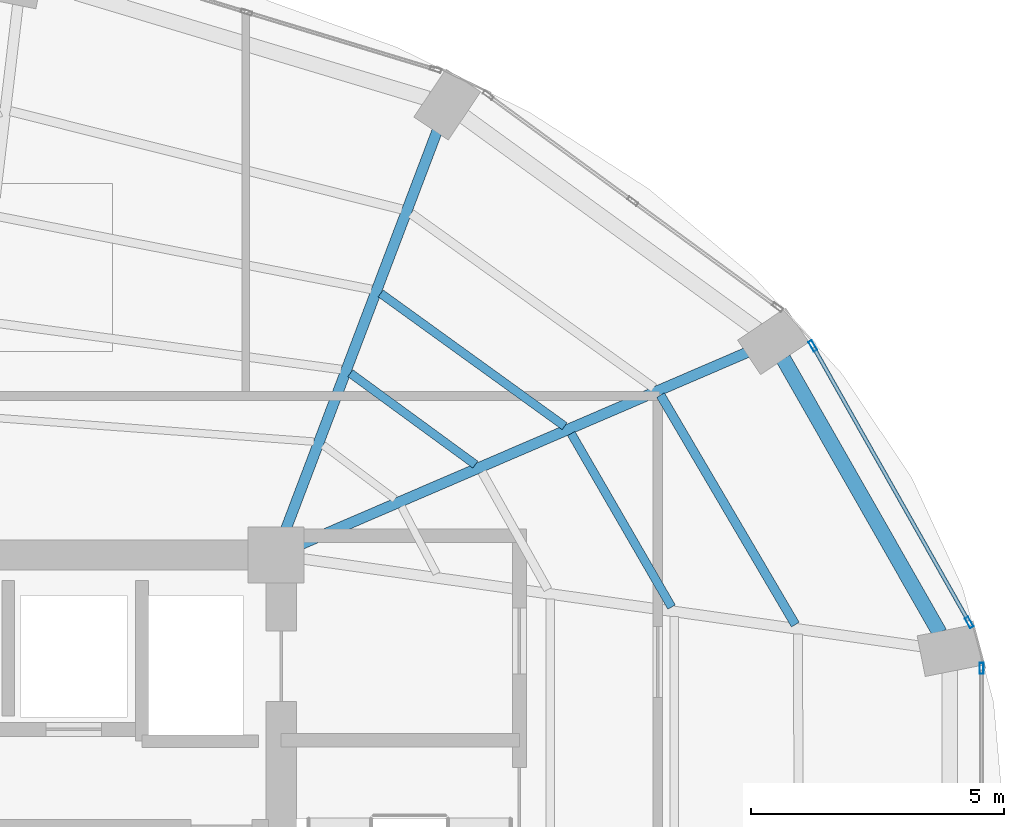
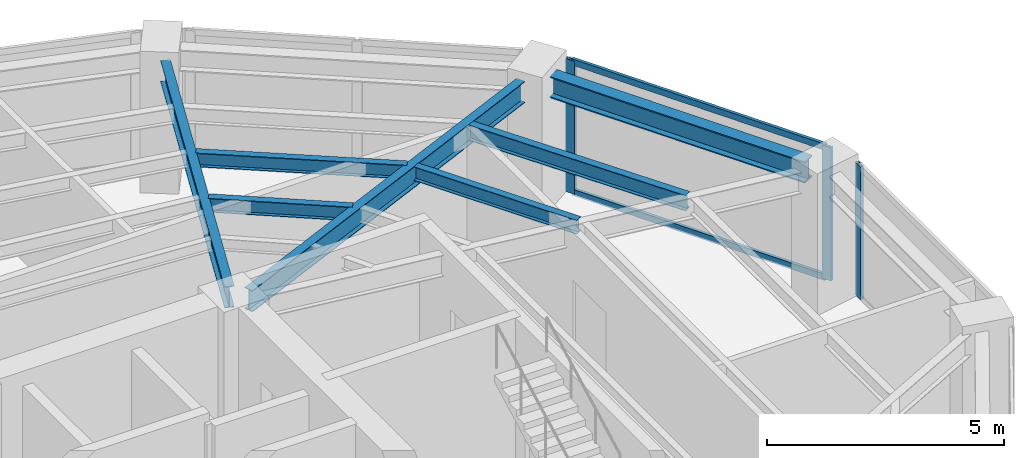
# One storey, part 11 of 20: 7 beams, 5 members, 2 elements without a shape of their own.
"""IFC4 building model written with IfcOpenShell, lengths in metres."""

import ifcopenshell
import ifcopenshell.guid

model = None  # the IFC model being written
_history = None  # IfcOwnerHistory: only IFC2X3 demands one
_inside = {}  # id of a spatial element -> (the spatial element, [elements in it])
_under = {}  # id of a project, library or spatial element -> (it, [spatial elements below it])
_declared = {}  # id of a project -> (the project, [libraries it declares])
_typed = {}  # id of a type object -> (the type object, [elements of that type])
_made_of = {}  # id of a material, layer set ... -> (it, [elements and type objects made of it])


def new_model(schema):
    """Start an empty IFC model of exactly this schema.

    Asked for "IFC4X3", IfcOpenShell would pick the latest addendum, in which some entities
    have other attributes; the version numbers below select the first issue.
    IFC2X3 requires an IfcOwnerHistory on every rooted entity: one is made here for all.
    """
    global model, _history
    if schema == "IFC4X3":
        model = ifcopenshell.file(schema_version=(4, 3, 0, 0))
    else:
        model = ifcopenshell.file(schema=schema)
    _inside.clear()
    _under.clear()
    _declared.clear()
    _typed.clear()
    _made_of.clear()
    _history = None
    if model.schema == "IFC2X3":
        org = make("IfcOrganization", Name="unknown")
        user = make(
            "IfcPersonAndOrganization",
            ThePerson=make("IfcPerson", FamilyName="unknown"),
            TheOrganization=org,
        )
        app = make(
            "IfcApplication",
            ApplicationDeveloper=org,
            Version="unknown",
            ApplicationFullName="unknown",
            ApplicationIdentifier="unknown",
        )
        _history = make(
            "IfcOwnerHistory",
            OwningUser=user,
            OwningApplication=app,
            ChangeAction="ADDED",
            CreationDate=0,
        )
    return model


def make(cls, **values):
    """One entity of the class cls with the attributes given. An attribute that is None is left unset."""
    return model.create_entity(
        cls, **{name: value for name, value in values.items() if value is not None}
    )


def rooted(cls, **values):
    """An entity with a GlobalId (a new one), such as an element, a storey or a relation."""
    return make(cls, GlobalId=ifcopenshell.guid.new(), OwnerHistory=_history, **values)


def si_unit(unit_type, name, prefix=None):
    """IfcSIUnit, for example si_unit("LENGTHUNIT", "METRE", prefix="MILLI")."""
    return make("IfcSIUnit", UnitType=unit_type, Prefix=prefix, Name=name)


def assignment(units):
    """IfcUnitAssignment: the units of a project."""
    return None if units is None else make("IfcUnitAssignment", Units=units)


def point(xyz):
    """IfcCartesianPoint."""
    return None if xyz is None else make("IfcCartesianPoint", Coordinates=xyz)


def direction(xyz):
    """IfcDirection."""
    return None if xyz is None else make("IfcDirection", DirectionRatios=xyz)


def frame(location, z_axis=None, x_axis=None):
    """IfcAxis2Placement3D, a coordinate frame: its origin and axes. An axis left out is left unset."""
    return make(
        "IfcAxis2Placement3D",
        Location=point(location),
        Axis=direction(z_axis),
        RefDirection=direction(x_axis),
    )


def frame_2d(location, x_axis=None):
    """IfcAxis2Placement2D, a coordinate frame in the plane: its origin and x axis."""
    return make(
        "IfcAxis2Placement2D", Location=point(location), RefDirection=direction(x_axis)
    )


def origin():
    """The frame at (0, 0, 0) with its axes left unset."""
    return frame((0.0, 0.0, 0.0))


def origin_2d():
    """The frame at (0, 0) in the plane with its x axis left unset."""
    return frame_2d((0.0, 0.0))


def place(relative_to, where):
    """IfcLocalPlacement: puts the frame where relative to a parent placement (None: the world)."""
    return make(
        "IfcLocalPlacement", PlacementRelTo=relative_to, RelativePlacement=where
    )


def context(
    kind, dimensions, precision=None, world=None, true_north=None, identifier=None
):
    """IfcGeometricRepresentationContext, for example the 3D "Model" context."""
    return make(
        "IfcGeometricRepresentationContext",
        ContextIdentifier=identifier,
        ContextType=kind,
        CoordinateSpaceDimension=dimensions,
        Precision=precision,
        WorldCoordinateSystem=world,
        TrueNorth=true_north,
    )


def subcontext(parent, identifier, kind, view, scale=None):
    """IfcGeometricRepresentationSubContext, for example "Body" below "Model"."""
    return make(
        "IfcGeometricRepresentationSubContext",
        ContextIdentifier=identifier,
        ContextType=kind,
        ParentContext=parent,
        TargetScale=scale,
        TargetView=view,
    )


def project(units=None, contexts=None):
    """IfcProject with its units and contexts."""
    return rooted(
        "IfcProject",
        Name="project",
        RepresentationContexts=contexts,
        UnitsInContext=assignment(units),
    )


def spatial(cls, under=None, at=None, **own):
    """A site, building, storey or space (cls), placed at a placement, below another one or the project."""
    s = rooted(cls, ObjectPlacement=at, **own)
    if under is not None:
        _under.setdefault(under.id(), (under, []))[1].append(s)
    return s


def profile(cls, at=None, kind="AREA", **sizes):
    """A parametric profile (cls). Its sizes go by their IFC names, for example OverallWidth=200.0."""
    return make(cls, ProfileType=kind, Position=at, **sizes)


def hollow_rectangle(**sizes):
    """IfcRectangleHollowProfileDef."""
    return profile("IfcRectangleHollowProfileDef", **sizes)


def i_section(**sizes):
    """IfcIShapeProfileDef."""
    return profile("IfcIShapeProfileDef", **sizes)


def extrude(swept, where, along, depth):
    """IfcExtrudedAreaSolid: the profile swept, set in the frame where, extruded along a direction by depth."""
    return make(
        "IfcExtrudedAreaSolid",
        SweptArea=swept,
        Position=where,
        ExtrudedDirection=direction(along),
        Depth=depth,
    )


def shape(context_of_items, identifier, shape_type, items):
    """IfcShapeRepresentation: the items that make up one representation, for example the "Body"."""
    return make(
        "IfcShapeRepresentation",
        ContextOfItems=context_of_items,
        RepresentationIdentifier=identifier,
        RepresentationType=shape_type,
        Items=items,
    )


def material(Name=None, Category=None):
    """IfcMaterial."""
    return make("IfcMaterial", Name=Name, Category=Category)


def layer(
    of_material, thickness, ventilated=None, Name=None, Category=None, Priority=None
):
    """IfcMaterialLayer: one layer of a wall or slab, of a material (None: an air gap)."""
    return make(
        "IfcMaterialLayer",
        Material=of_material,
        LayerThickness=thickness,
        IsVentilated=ventilated,
        Name=Name,
        Category=Category,
        Priority=Priority,
    )


def layer_set(layers, Name=None):
    """IfcMaterialLayerSet."""
    return make("IfcMaterialLayerSet", MaterialLayers=layers, LayerSetName=Name)


def material_profile(
    of_material, cross_section, Name=None, Category=None, Priority=None
):
    """IfcMaterialProfile: a cross section and its material."""
    return make(
        "IfcMaterialProfile",
        Name=Name,
        Material=of_material,
        Profile=cross_section,
        Priority=Priority,
        Category=Category,
    )


def profile_set(profiles, Name=None, composite=None):
    """IfcMaterialProfileSet."""
    return make(
        "IfcMaterialProfileSet",
        Name=Name,
        MaterialProfiles=profiles,
        CompositeProfile=composite,
    )


def made_of(thing, what):
    """Note that an element or type object is made of a material, layer set ...; save() writes the relation."""
    if what is not None:
        _made_of.setdefault(what.id(), (what, []))[1].append(thing)
    return thing


def type_object(cls, material=None, **own):
    """A type object (cls), such as IfcWallType, which elements share."""
    return made_of(rooted(cls, **own), material)


def element(
    cls,
    number,
    at=None,
    inside=None,
    cuts=None,
    type_object=None,
    material=None,
    context=None,
    identifier="Body",
    shape_type=None,
    held_by="IfcProductDefinitionShape",
    body=None,
    shapes=None,
    **own,
):
    """One element of the class cls, such as IfcWall. Its Tag is "e" and its number.

    at: its placement. inside: the storey or other place that contains it. cuts: it is an
    opening in that element (IfcRelVoidsElement). A single representation is given by context,
    identifier, shape_type and body (its items); several are given by shapes. held_by: the class
    of the entity that holds the representations. save() writes the other relations.
    """
    e = rooted(cls, Tag="e%d" % number, ObjectPlacement=at, **own)
    if body is not None:
        shapes = [shape(context, identifier, shape_type, body)]
    if shapes is not None:
        e.Representation = make(held_by, Representations=shapes)
    if inside is not None:
        _inside.setdefault(inside.id(), (inside, []))[1].append(e)
    if cuts is not None:
        rooted(
            "IfcRelVoidsElement", RelatingBuildingElement=cuts, RelatedOpeningElement=e
        )
    if type_object is not None:
        _typed.setdefault(type_object.id(), (type_object, []))[1].append(e)
    return made_of(e, material)


def aggregate(whole, parts):
    """IfcRelAggregates: a whole, such as a stair, and the parts it consists of."""
    return rooted("IfcRelAggregates", RelatingObject=whole, RelatedObjects=parts)


def save(model, path):
    """Write the relations noted so far, then the file.

    IfcRelAggregates (storeys below a building ...), IfcRelContainedInSpatialStructure (elements
    in a storey), IfcRelDefinesByType, IfcRelAssociatesMaterial and IfcRelDeclares: one each for
    every whole, place, type object, material and project.
    """
    for whole, parts in _under.values():
        aggregate(whole, parts)
    for where, things in _inside.values():
        rooted(
            "IfcRelContainedInSpatialStructure",
            RelatedElements=things,
            RelatingStructure=where,
        )
    for kind, things in _typed.values():
        rooted("IfcRelDefinesByType", RelatedObjects=things, RelatingType=kind)
    for what, things in _made_of.values():
        rooted("IfcRelAssociatesMaterial", RelatedObjects=things, RelatingMaterial=what)
    for by, libraries in _declared.values():
        rooted("IfcRelDeclares", RelatingContext=by, RelatedDefinitions=libraries)
    model.write(path)


model = new_model("IFC4")

# Units and contexts
model_context = context("Model", 3, precision=1e-05, world=origin(), true_north=direction((0.0, 1.0)))
body_context = subcontext(model_context, "Body", "Model", "MODEL_VIEW")
ifc_project = project(units=[si_unit("LENGTHUNIT", "METRE"), si_unit("AREAUNIT", "SQUARE_METRE"), si_unit("VOLUMEUNIT", "CUBIC_METRE"), si_unit("PLANEANGLEUNIT", "RADIAN"), si_unit("MASSUNIT", "GRAM", prefix="KILO")], contexts=[model_context])

# Site, building, storey
site_placement = place(None, origin())
site = spatial("IfcSite", under=ifc_project, at=site_placement, CompositionType="ELEMENT")
building_placement = place(site_placement, origin())
building = spatial("IfcBuilding", under=site, at=building_placement, Name="Lazwardi Medical Tower", CompositionType="ELEMENT")
storey_placement = place(building_placement, frame((0.0, 0.0, 149.23193359375)))
storey = spatial("IfcBuildingStorey", under=building, at=storey_placement, Name="L38", CompositionType="ELEMENT", Elevation=149.23193359375)

# Beams
ifc_material_1 = material(Name="Steel S355", Category="steel")
ifc_material_profile_1 = material_profile(ifc_material_1, i_section(OverallWidth=0.300048828125, OverallDepth=0.550048828125, WebThickness=0.014892578125, FlangeThickness=0.029052734375, at=origin_2d()), Name="HEB 550")
ifc_profile_set_1 = profile_set([ifc_material_profile_1], Name="Steel S355")
beam_type_1 = type_object("IfcBeamType", Name="BM-RB-Z3", PredefinedType="BEAM", material=ifc_profile_set_1)
beam_1_placement = place(storey_placement, frame((58.727783203125, 34.05908203125, 3.153076171875), z_axis=(-0.495460926326, 0.868630226554, 0.0), x_axis=(-0.868630226554, -0.495460926326, 0.0)))
element("IfcBeam", 1, at=beam_1_placement, inside=storey, type_object=beam_type_1, Name="Ring beam RB-04 B05 L38", PredefinedType="BEAM", context=body_context, shape_type="SweptSolid", body=[
    extrude(i_section(OverallWidth=0.300048828125, OverallDepth=0.550048828125, WebThickness=0.014892578125, FlangeThickness=0.029052734375, at=origin_2d()), origin(), (0.0, 0.0, 1.0), 6.24462890625),
])
ifc_material_profile_2 = material_profile(ifc_material_1, i_section(OverallWidth=0.2099609375, OverallDepth=0.550048828125, WebThickness=0.010986328125, FlangeThickness=0.01708984375, at=origin_2d()), Name="IPE 550")
ifc_profile_set_2 = profile_set([ifc_material_profile_2], Name="Steel S355")
beam_type_2 = type_object("IfcBeamType", Name="BM-RG-W2", PredefinedType="BEAM", material=ifc_profile_set_2)
beam_2_placement = place(storey_placement, frame((54.921142578125, 39.609619140625, 3.153076171875), z_axis=(-0.918608156288, -0.395169653695, 0.0), x_axis=(0.395169653695, -0.918608156288, 0.0)))
element("IfcBeam", 2, at=beam_2_placement, inside=storey, type_object=beam_type_2, Name="Radial girder RG-03 R06 L38", PredefinedType="BEAM", context=body_context, shape_type="SweptSolid", body=[
    extrude(i_section(OverallWidth=0.2099609375, OverallDepth=0.550048828125, WebThickness=0.010986328125, FlangeThickness=0.01708984375, at=origin_2d()), origin(), (0.0, 0.0, 1.0), 9.61181640625),
])
beam_3_placement = place(storey_placement, frame((48.78759765625, 43.99072265625, 3.153076171875), z_axis=(-0.355126771712, -0.934818151307, 0.0), x_axis=(0.934818151307, -0.355126771712, 0.0)))
element("IfcBeam", 3, at=beam_3_placement, inside=storey, type_object=beam_type_2, Name="Radial girder RG-03 R07 L38", PredefinedType="BEAM", context=body_context, shape_type="SweptSolid", body=[
    extrude(i_section(OverallWidth=0.2099609375, OverallDepth=0.550048828125, WebThickness=0.010986328125, FlangeThickness=0.01708984375, at=origin_2d()), origin(), (0.0, 0.0, 1.0), 8.44091796875),
])
ifc_material_profile_3 = material_profile(ifc_material_1, i_section(OverallWidth=0.179931640625, OverallDepth=0.39990234375, WebThickness=0.008544921875, FlangeThickness=0.013427734375, at=origin_2d()), Name="IPE 400")
ifc_profile_set_3 = profile_set([ifc_material_profile_3], Name="Steel S355")
beam_type_3 = type_object("IfcBeamType", Name="BM-SJ-01", PredefinedType="JOIST", material=ifc_profile_set_3)
beam_4_placement = place(storey_placement, frame((55.872314453125, 34.223388671875, 3.22802734375), z_axis=(-0.506420212881, 0.862286824662, 0.0), x_axis=(-0.862286824662, -0.506420212881, 0.0)))
element("IfcBeam", 4, at=beam_4_placement, inside=storey, type_object=beam_type_3, Name="Secondary joist SJ-01 R1 B05 L38", PredefinedType="JOIST", context=body_context, shape_type="SweptSolid", body=[
    extrude(i_section(OverallWidth=0.179931640625, OverallDepth=0.39990234375, WebThickness=0.008544921875, FlangeThickness=0.013427734375, at=origin_2d()), origin(), (0.0, 0.0, 1.0), 5.265380859375),
])
ifc_material_profile_4 = material_profile(ifc_material_1, i_section(OverallWidth=0.169921875, OverallDepth=0.360107421875, WebThickness=0.008056640625, FlangeThickness=0.0126953125, at=origin_2d()), Name="IPE 360")
ifc_profile_set_4 = profile_set([ifc_material_profile_4], Name="Steel S355")
beam_type_4 = type_object("IfcBeamType", Name="BM-SJ-02", PredefinedType="JOIST", material=ifc_profile_set_4)
beam_5_placement = place(storey_placement, frame((53.4248046875, 34.57080078125, 3.248046875), z_axis=(-0.500640648605, 0.865655209055, 0.0), x_axis=(-0.865655209055, -0.500640648605, 0.0)))
element("IfcBeam", 5, at=beam_5_placement, inside=storey, type_object=beam_type_4, Name="Secondary joist SJ-02 R2 B05 L38", PredefinedType="JOIST", context=body_context, shape_type="SweptSolid", body=[
    extrude(i_section(OverallWidth=0.169921875, OverallDepth=0.360107421875, WebThickness=0.008056640625, FlangeThickness=0.0126953125, at=origin_2d()), origin(), (0.0, 0.0, 1.0), 3.965576171875),
])
beam_6_placement = place(storey_placement, frame((51.30810546875, 38.148681640625, 3.248046875), z_axis=(-0.810738039179, 0.585409114917, 0.0), x_axis=(-0.585409114917, -0.810738039179, 0.0)))
element("IfcBeam", 6, at=beam_6_placement, inside=storey, type_object=beam_type_4, Name="Secondary joist SJ-02 R2 B06 L38", PredefinedType="JOIST", context=body_context, shape_type="SweptSolid", body=[
    extrude(i_section(OverallWidth=0.169921875, OverallDepth=0.360107421875, WebThickness=0.008056640625, FlangeThickness=0.0126953125, at=origin_2d()), origin(), (0.0, 0.0, 1.0), 4.48779296875),
])
beam_7_placement = place(storey_placement, frame((49.54248046875, 37.3896484375, 3.248046875), z_axis=(-0.807285959008, 0.590160470033, 0.0), x_axis=(-0.590160470033, -0.807285959008, 0.0)))
element("IfcBeam", 7, at=beam_7_placement, inside=storey, type_object=beam_type_4, Name="Secondary joist SJ-02 R3 B06 L38", PredefinedType="JOIST", context=body_context, shape_type="SweptSolid", body=[
    extrude(i_section(OverallWidth=0.169921875, OverallDepth=0.360107421875, WebThickness=0.008056640625, FlangeThickness=0.0126953125, at=origin_2d()), origin(), (0.0, 0.0, 1.0), 3.06298828125),
])

# Curtain wall, member
ifc_material_2 = material(Name="Anodised bronze aluminium and solar control glazing", Category="aluminium")
ifc_layer = layer(ifc_material_2, 0.195068359375)
ifc_layer_set = layer_set([ifc_layer], Name="Anodised bronze aluminium and solar control glazing")
curtain_wall_type = type_object("IfcCurtainWallType", Name="CW-SYS-03", PredefinedType="NOTDEFINED", material=ifc_layer_set)
curtain_wall_1_placement = place(storey_placement, origin())
curtain_wall_1 = element("IfcCurtainWall", 8, at=curtain_wall_1_placement, inside=storey, type_object=curtain_wall_type, Name="L38 Unitised bronze curtain wall CW-03", PredefinedType="NOTDEFINED")
ifc_material_3 = material(Name="Anodised bronze aluminium", Category="aluminium")
ifc_material_profile_5 = material_profile(ifc_material_3, hollow_rectangle(XDim=0.074951171875, YDim=0.219970703125, WallThickness=0.00390625, at=origin_2d()), Name="ALU-MULLION 220x75x4")
ifc_profile_set_5 = profile_set([ifc_material_profile_5], Name="Anodised bronze aluminium")
member_type_1 = type_object("IfcMemberType", Name="CW-MUL-01", PredefinedType="MULLION", material=ifc_profile_set_5)
member_1_placement = place(storey_placement, frame((59.5576171875, 33.35791015625, 0.0), z_axis=(0.0, 0.0, 1.0), x_axis=(-1.0, 0.0, 0.0)))
member_1 = element("IfcMember", 9, at=member_1_placement, type_object=member_type_1, Name="CW-03 mullion 2", PredefinedType="MULLION", context=body_context, shape_type="SweptSolid", body=[
    extrude(hollow_rectangle(XDim=0.074951171875, YDim=0.219970703125, WallThickness=0.00390625, at=origin_2d()), origin(), (0.0, 0.0, 1.0), 3.427978515625),
])
aggregate(curtain_wall_1, [member_1])

# Curtain wall, members
curtain_wall_2_placement = place(storey_placement, origin())
curtain_wall_2 = element("IfcCurtainWall", 10, at=curtain_wall_2_placement, inside=storey, type_object=curtain_wall_type, Name="L38 Unitised bronze curtain wall CW-03", PredefinedType="NOTDEFINED")
member_2_placement = place(storey_placement, frame((59.31103515625, 34.267333984375, 0.0), z_axis=(0.0, 0.0, 1.0), x_axis=(-0.870418989303, -0.492311672683, 0.0)))
member_2 = element("IfcMember", 11, at=member_2_placement, type_object=member_type_1, Name="CW-03 mullion 1", PredefinedType="MULLION", context=body_context, shape_type="SweptSolid", body=[
    extrude(hollow_rectangle(XDim=0.074951171875, YDim=0.219970703125, WallThickness=0.00390625, at=origin_2d()), origin(), (0.0, 0.0, 1.0), 3.427978515625),
])
member_3_placement = place(storey_placement, frame((56.217529296875, 39.73681640625, 0.0), z_axis=(0.0, 0.0, 1.0), x_axis=(-0.870418989303, -0.492311672683, 0.0)))
member_3 = element("IfcMember", 12, at=member_3_placement, type_object=member_type_1, Name="CW-03 mullion 2", PredefinedType="MULLION", context=body_context, shape_type="SweptSolid", body=[
    extrude(hollow_rectangle(XDim=0.074951171875, YDim=0.219970703125, WallThickness=0.00390625, at=origin_2d()), origin(), (0.0, 0.0, 1.0), 3.427978515625),
])
ifc_material_profile_6 = material_profile(ifc_material_3, hollow_rectangle(XDim=0.074951171875, YDim=0.159912109375, WallThickness=0.00390625, at=origin_2d()), Name="ALU-TRANSOM 160x75x4")
ifc_profile_set_6 = profile_set([ifc_material_profile_6], Name="Anodised bronze aluminium")
member_type_2 = type_object("IfcMemberType", Name="CW-TRN-01", PredefinedType="USERDEFINED", material=ifc_profile_set_6)
member_4_placement = place(storey_placement, frame((59.292724609375, 34.2998046875, 0.03759765625), z_axis=(-0.492306010269, 0.870422191958, 0.0), x_axis=(-0.870422191958, -0.492306010269, 0.0)))
member_4 = element("IfcMember", 13, at=member_4_placement, type_object=member_type_2, Name="CW-03 transom 1.1", ObjectType="TRANSOM", PredefinedType="USERDEFINED", context=body_context, shape_type="SweptSolid", body=[
    extrude(hollow_rectangle(XDim=0.074951171875, YDim=0.159912109375, WallThickness=0.00390625, at=origin_2d()), origin(), (0.0, 0.0, 1.0), 6.208740234375),
])
member_5_placement = place(storey_placement, frame((59.292724609375, 34.2998046875, 3.390625), z_axis=(-0.492306010269, 0.870422191958, 0.0), x_axis=(-0.870422191958, -0.492306010269, 0.0)))
member_5 = element("IfcMember", 14, at=member_5_placement, type_object=member_type_2, Name="CW-03 transom 1.2", ObjectType="TRANSOM", PredefinedType="USERDEFINED", context=body_context, shape_type="SweptSolid", body=[
    extrude(hollow_rectangle(XDim=0.074951171875, YDim=0.159912109375, WallThickness=0.00390625, at=origin_2d()), origin(), (0.0, 0.0, 1.0), 6.208740234375),
])
aggregate(curtain_wall_2, [member_2, member_3, member_4, member_5])

save(model, "model.ifc")
